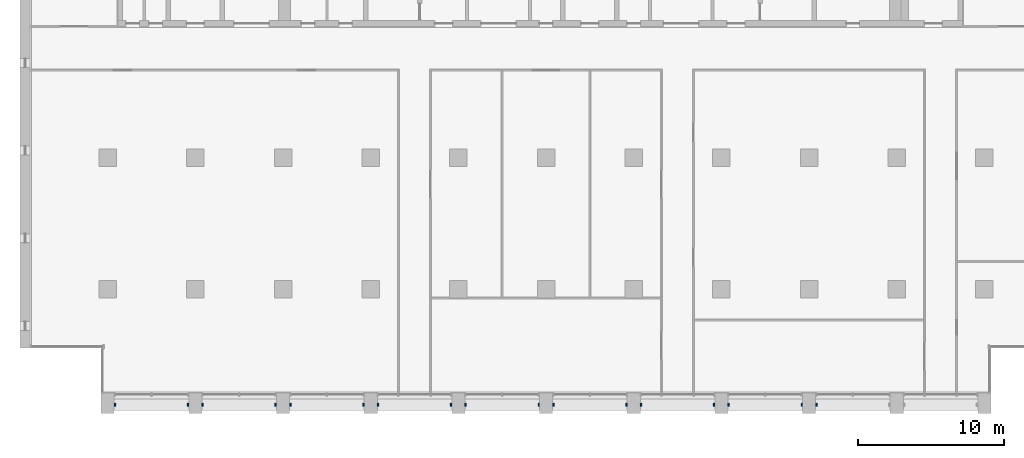
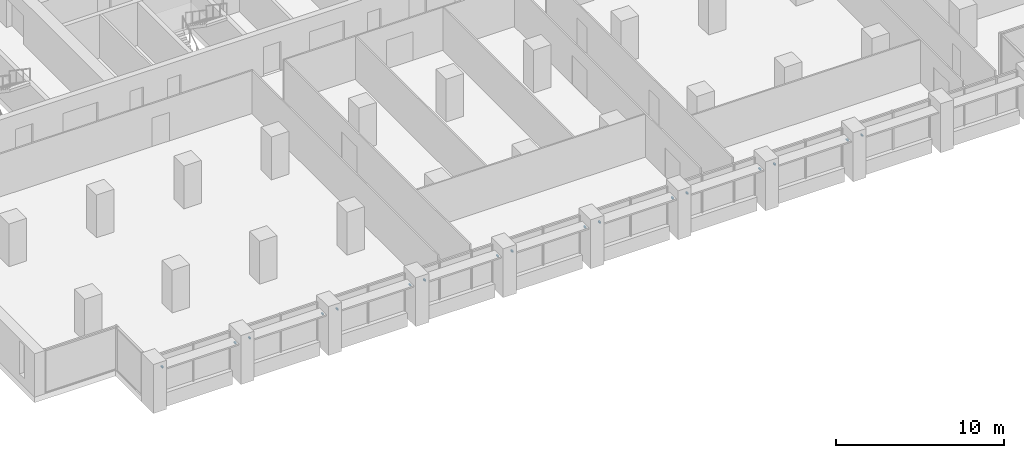
# One storey, part 13 of 15: 17 discrete accessories.
"""IFC4 building model written with IfcOpenShell, lengths in metres."""

from ifc_helpers import new_model, si_unit, direction, frame, origin, origin_2d, place, context, subcontext, project, spatial, rectangle, extrude, element, save


model = new_model("IFC4")

# Units and contexts
model_context = context("Model", 3, precision=1e-05, world=origin(), true_north=direction((0.0, 1.0)))
body_context = subcontext(model_context, "Body", "Model", "MODEL_VIEW")
ifc_project = project(units=[si_unit("LENGTHUNIT", "METRE"), si_unit("AREAUNIT", "SQUARE_METRE"), si_unit("VOLUMEUNIT", "CUBIC_METRE"), si_unit("PLANEANGLEUNIT", "RADIAN"), si_unit("MASSUNIT", "GRAM", prefix="KILO")], contexts=[model_context])

# Site, building, storey
site_placement = place(None, origin())
site = spatial("IfcSite", under=ifc_project, at=site_placement, CompositionType="ELEMENT")
building_placement = place(site_placement, origin())
building = spatial("IfcBuilding", under=site, at=building_placement, Name="Calvaro Tower", CompositionType="ELEMENT")
storey_placement = place(building_placement, frame((0.0, 0.0, 155.0)))
storey = spatial("IfcBuildingStorey", under=building, at=storey_placement, Name="L39", CompositionType="ELEMENT", Elevation=155.0)

# Discrete accessories
for number, where, z_axis, x_axis, name in (
    (1, (6.5, 2.10009765625, 2.25), (0.0, 0.0, 1.0), (1.0, 0.0, 0.0), "Brise-soleil bracket"),
    (2, (11.5, 2.10009765625, 2.25), (0.0, 0.0, 1.0), (1.0, 0.0, 0.0), "Brise-soleil bracket"),
    (3, (12.5, 2.10009765625, 2.25), (0.0, 0.0, 1.0), (1.0, 0.0, 0.0), "Brise-soleil bracket"),
    (4, (17.5, 2.10009765625, 2.25), (0.0, 0.0, 1.0), (1.0, 0.0, 0.0), "Brise-soleil bracket"),
    (5, (18.5, 2.10009765625, 2.25), (0.0, 0.0, 1.0), (1.0, 0.0, 0.0), "Brise-soleil bracket"),
    (6, (23.5, 2.10009765625, 2.25), (0.0, 0.0, 1.0), (1.0, 0.0, 0.0), "Brise-soleil bracket"),
    (7, (24.5, 2.10009765625, 2.25), (0.0, 0.0, 1.0), (1.0, 0.0, 0.0), "Brise-soleil bracket"),
    (8, (29.5, 2.10009765625, 2.25), (0.0, 0.0, 1.0), (1.0, 0.0, 0.0), "Brise-soleil bracket"),
    (9, (30.5, 2.10009765625, 2.25), (0.0, 0.0, 1.0), (1.0, 0.0, 0.0), "Brise-soleil bracket"),
    (10, (35.5, 2.10009765625, 2.25), (0.0, 0.0, 1.0), (1.0, 0.0, 0.0), "Brise-soleil bracket"),
    (11, (36.5, 2.10009765625, 2.25), (0.0, 0.0, 1.0), (1.0, 0.0, 0.0), "Brise-soleil bracket"),
    (12, (41.5, 2.10009765625, 2.25), (0.0, 0.0, 1.0), (1.0, 0.0, 0.0), "Brise-soleil bracket"),
    (13, (42.5, 2.10009765625, 2.25), (0.0, 0.0, 1.0), (1.0, 0.0, 0.0), "Brise-soleil bracket"),
    (14, (47.5, 2.10009765625, 2.25), (0.0, 0.0, 1.0), (1.0, 0.0, 0.0), "Brise-soleil bracket"),
    (15, (48.5, 2.10009765625, 2.25), (0.0, 0.0, 1.0), (1.0, 0.0, 0.0), "Brise-soleil bracket"),
    (16, (53.5, 2.10009765625, 2.25), (0.0, 0.0, 1.0), (1.0, 0.0, 0.0), "Brise-soleil bracket"),
    (17, (54.5, 2.10009765625, 2.25), (0.0, 0.0, 1.0), (1.0, 0.0, 0.0), "Brise-soleil bracket"),
):
    element("IfcDiscreteAccessory", number, at=place(storey_placement, frame(where, z_axis=z_axis, x_axis=x_axis)), inside=storey, Name=name, PredefinedType="BRACKET", context=body_context, shape_type="SweptSolid", body=[
        extrude(rectangle(XDim=0.10009765625, YDim=0.199951171875, at=origin_2d()), origin(), (0.0, 0.0, 1.0), 0.10009765625),
    ])

save(model, "model.ifc")
